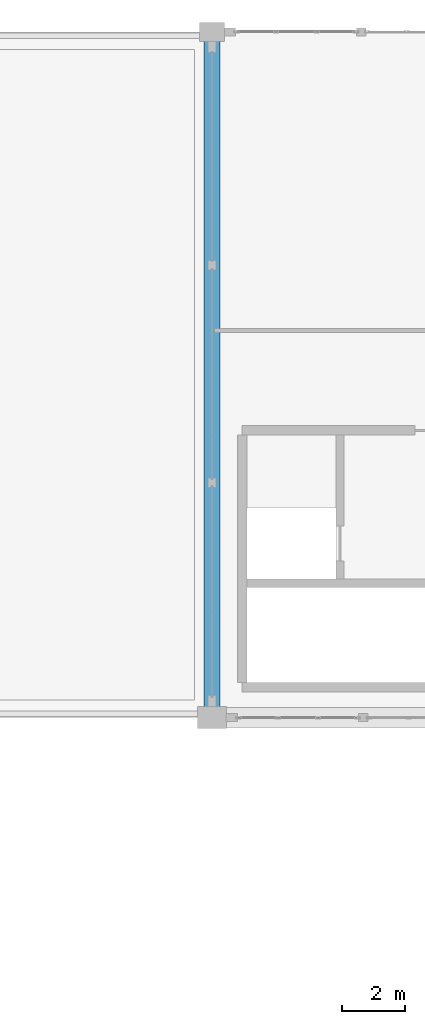
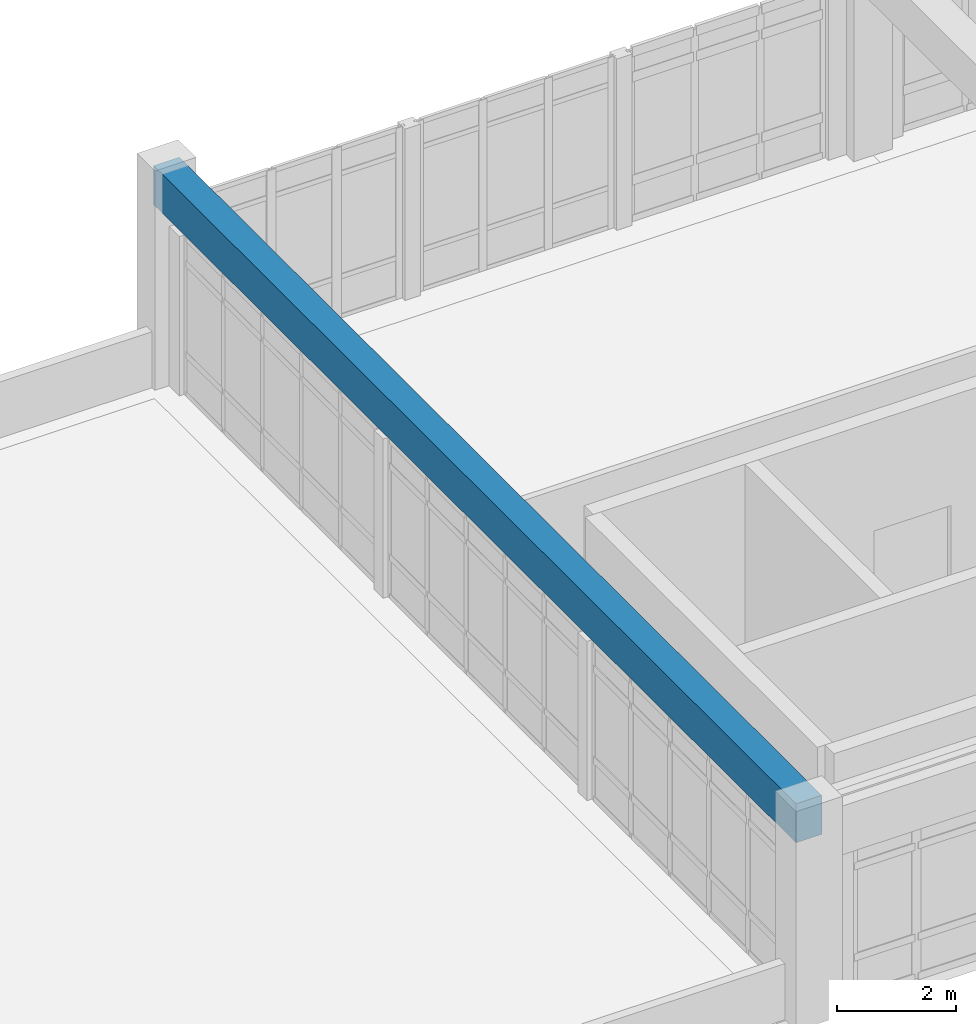
# One storey, part 40 of 109: 1 beam.
"""IFC4 building model written with IfcOpenShell, lengths in metres."""

from ifc_helpers import new_model, si_unit, direction, frame, origin, origin_2d, place, context, subcontext, project, spatial, rectangle, extrude, material, material_profile, profile_set, type_object, element, save


model = new_model("IFC4")

# Units and contexts
model_context = context("Model", 3, precision=1e-05, world=origin(), true_north=direction((0.0, 1.0)))
body_context = subcontext(model_context, "Body", "Model", "MODEL_VIEW")
ifc_project = project(units=[si_unit("LENGTHUNIT", "METRE"), si_unit("AREAUNIT", "SQUARE_METRE"), si_unit("VOLUMEUNIT", "CUBIC_METRE"), si_unit("PLANEANGLEUNIT", "RADIAN"), si_unit("MASSUNIT", "GRAM", prefix="KILO")], contexts=[model_context])

# Site, building, storey
site_placement = place(None, origin())
site = spatial("IfcSite", under=ifc_project, at=site_placement, CompositionType="ELEMENT")
building_placement = place(site_placement, origin())
building = spatial("IfcBuilding", under=site, at=building_placement, Name="Fikremerkos Civic Library", CompositionType="ELEMENT")
storey_placement = place(building_placement, frame((0.0, 0.0, 5.39990234375)))
storey = spatial("IfcBuildingStorey", under=building, at=storey_placement, Name="L01", CompositionType="ELEMENT", Elevation=5.39990234375)

# Beam
ifc_material = material(Name="Concrete C40/50", Category="concrete")
ifc_material_profile = material_profile(ifc_material, rectangle(XDim=0.5, YDim=0.800048828125, at=origin_2d()), Name="RC 500x800")
ifc_profile_set = profile_set([ifc_material_profile], Name="Concrete C40/50")
beam_type = type_object("IfcBeamType", Name="Primary girder BM-04 RC 500x800", PredefinedType="BEAM", material=ifc_profile_set)
beam_placement = place(storey_placement, frame((73.199951171875, 96.0, 3.977294921875), z_axis=(0.0, 1.0, 0.0), x_axis=(-1.0, 0.0, 0.0)))
element("IfcBeam", 1, at=beam_placement, inside=storey, type_object=beam_type, Name="Primary girder BM-04 L01 grid 7", PredefinedType="BEAM", context=body_context, shape_type="SweptSolid", body=[
    extrude(rectangle(XDim=0.5, YDim=0.800048828125, at=origin_2d()), origin(), (0.0, 0.0, 1.0), 21.60009765625),
])

save(model, "model.ifc")
